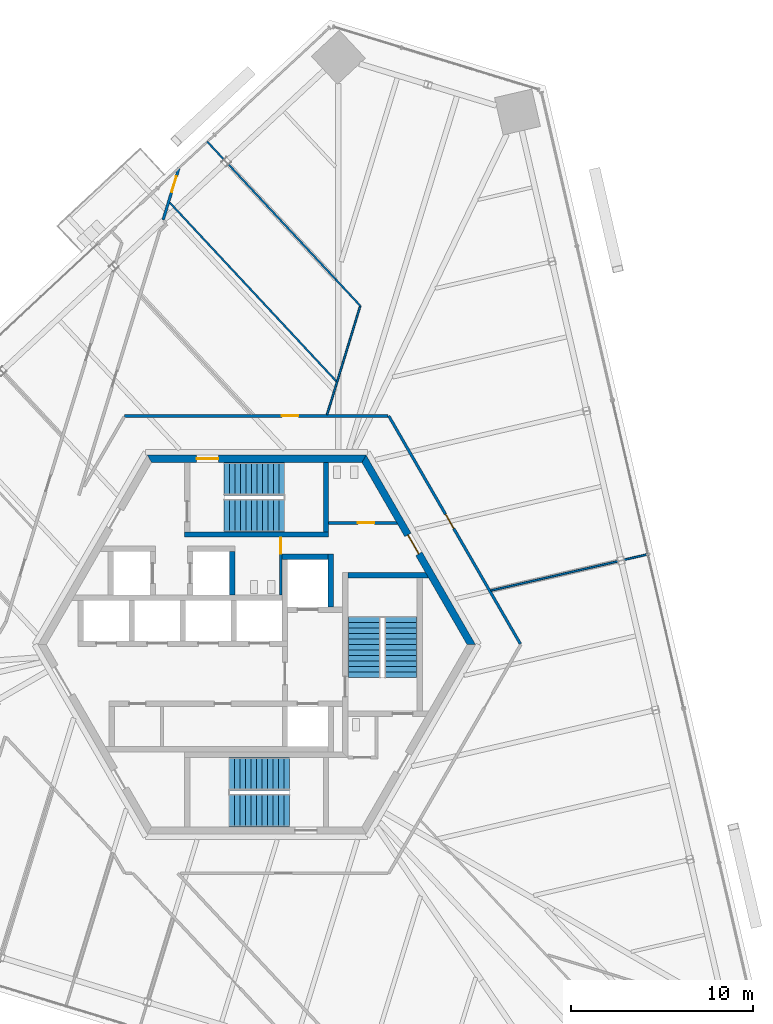
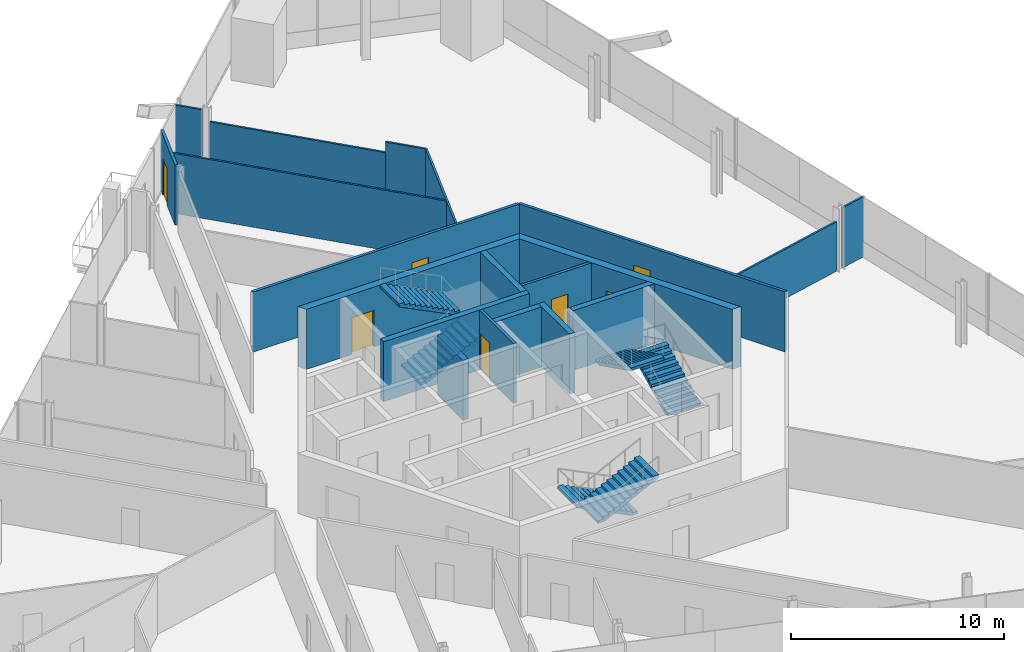
# One storey, part 14 of 18: 20 walls, 7 doors, 6 stair flights, 7 openings, 3 elements without a shape of their own.
"""IFC4 building model written with IfcOpenShell, lengths in metres."""

from ifc_helpers import new_model, si_unit, direction, frame, frame_2d, origin, place, context, subcontext, project, spatial, polyline, rectangle, outline, extrude, source, transform, mapped, material, layer, layer_set, type_object, element, fill, aggregate, save


model = new_model("IFC4")

# Units and contexts
model_context = context("Model", 3, precision=1e-05, world=origin(), true_north=direction((0.0, 1.0)))
body_context = subcontext(model_context, "Body", "Model", "MODEL_VIEW")
ifc_project = project(units=[si_unit("LENGTHUNIT", "METRE"), si_unit("AREAUNIT", "SQUARE_METRE"), si_unit("VOLUMEUNIT", "CUBIC_METRE"), si_unit("PLANEANGLEUNIT", "RADIAN"), si_unit("MASSUNIT", "GRAM", prefix="KILO")], contexts=[model_context])

# Site, building, storey
site_placement = place(None, origin())
site = spatial("IfcSite", under=ifc_project, at=site_placement, CompositionType="ELEMENT")
building_placement = place(site_placement, origin())
building = spatial("IfcBuilding", under=site, at=building_placement, Name="Triune Harvest Tower", CompositionType="ELEMENT")
storey_placement = place(building_placement, frame((0.0, 0.0, 101.89990234375)))
storey = spatial("IfcBuildingStorey", under=building, at=storey_placement, Name="L25", CompositionType="ELEMENT", Elevation=101.89990234375)

# Wall, opening, door
ifc_material_1 = material(Name="Gypsum board on steel studs", Category="steel")
ifc_layer_1 = layer(ifc_material_1, 0.14990234375)
ifc_layer_set_1 = layer_set([ifc_layer_1], Name="Gypsum board on steel studs")
wall_type_1 = type_object("IfcWallType", Name="Fire Partition 150 mm", PredefinedType="PARTITIONING", material=ifc_layer_set_1)
wall_1_placement = place(storey_placement, frame((-5.134521484375, 23.296875, 0.0), z_axis=(0.0, 0.0, 1.0), x_axis=(0.292316746562, 0.956321556632, 0.0)))
wall_1 = element("IfcWall", 1, at=wall_1_placement, inside=storey, type_object=wall_type_1, Name="Partition L25 047", PredefinedType="PARTITIONING", context=body_context, shape_type="SweptSolid", body=[
    extrude(rectangle(XDim=2.96826171875, YDim=0.14990234375, at=frame_2d((1.484130859375, 0.0))), origin(), (0.0, 0.0, 1.0), 3.440185546875),
])
opening_1_placement = place(wall_1_placement, frame((1.599853515625, 0.0, 0.0)))
opening_1 = element("IfcOpeningElement", 2, at=opening_1_placement, cuts=wall_1, Name="Opening L25-004", PredefinedType="OPENING", context=body_context, shape_type="SweptSolid", body=[
    extrude(rectangle(XDim=0.89990234375, YDim=2.10009765625, at=frame_2d((0.449951171875, 1.050048828125))), frame((0.0, 0.0849609375, 0.0), z_axis=(0.0, -1.0, 0.0), x_axis=(1.0, 0.0, 0.0)), (0.0, 0.0, 1.0), 0.169921875),
])
ifc_material_2 = material(Name="Timber and steel door set", Category="steel")
door_type_1 = type_object("IfcDoorType", Name="Single leaf door FD30 left hand 900 x 2100", OperationType="SINGLE_SWING_LEFT", PredefinedType="DOOR", material=ifc_material_2)
door_1_placement = place(opening_1_placement, origin())
door_1 = element("IfcDoor", 3, at=door_1_placement, inside=storey, type_object=door_type_1, Name="Door L25-004 Pantry 25.04", OperationType="SINGLE_SWING_LEFT", OverallHeight=2.10009765625, OverallWidth=0.89990234375, PredefinedType="DOOR", context=body_context, shape_type="SweptSolid", body=[
    extrude(rectangle(XDim=0.89990234375, YDim=2.10009765625, at=frame_2d((0.449951171875, 1.050048828125))), frame((0.0, 0.02490234375, 0.0), z_axis=(0.0, -1.0, 0.0), x_axis=(1.0, 0.0, 0.0)), (0.0, 0.0, 1.0), 0.050048828125),
])
fill(opening_1, door_1)

# Walls
ifc_material_3 = material(Name="Gypsum board on steel studs", Category="steel")
ifc_layer_2 = layer(ifc_material_3, 0.10009765625)
ifc_layer_set_2 = layer_set([ifc_layer_2], Name="Gypsum board on steel studs")
wall_type_2 = type_object("IfcWallType", Name="Partition 100 mm", PredefinedType="PARTITIONING", material=ifc_layer_set_2)
wall_2_placement = place(storey_placement, frame((-4.82763671875, 24.30078125, 0.0), z_axis=(0.0, 0.0, 1.0), x_axis=(0.68200005652, -0.731352119643, 0.0)))
element("IfcWall", 4, at=wall_2_placement, inside=storey, type_object=wall_type_2, Name="Partition L25 020", PredefinedType="PARTITIONING", context=body_context, shape_type="SweptSolid", body=[
    extrude(rectangle(XDim=13.53466796875, YDim=0.10009765625, at=frame_2d((6.767333984375, 0.0))), origin(), (0.0, 0.0, 1.0), 3.440185546875),
])
wall_3_placement = place(storey_placement, frame((3.85498046875, 12.609130859375, 0.0), z_axis=(0.0, 0.0, 1.0), x_axis=(0.292357980238, 0.956308951852, 0.0)))
element("IfcWall", 5, at=wall_3_placement, inside=storey, type_object=wall_type_2, Name="Partition L25 041", PredefinedType="PARTITIONING", context=body_context, shape_type="SweptSolid", body=[
    extrude(rectangle(XDim=6.22705078125, YDim=0.10009765625, at=frame_2d((3.113525390625, 0.0))), origin(), (0.0, 0.0, 1.0), 3.440185546875),
])

# Wall, opening, door
ifc_material_4 = material(Name="Concrete 70 MPa", Category="concrete")
ifc_layer_3 = layer(ifc_material_4, 0.39990234375)
ifc_layer_set_3 = layer_set([ifc_layer_3], Name="Concrete 70 MPa")
wall_type_3 = type_object("IfcWallType", Name="Core wall 400", PredefinedType="SHEAR", material=ifc_layer_set_3)
shared_shape_1 = source(origin(), body_context, "Body", "SweptSolid", [
    extrude(outline(polyline([(-0.115478515625, -0.199951171875), (11.884521484375, -0.199951171875), (11.653564453125, 0.199951171875), (0.115478515625, 0.199951171875), (-0.115478515625, -0.199951171875)])), origin(), (0.0, 0.0, 1.0), 3.440185546875),
])
wall_4_placement = place(storey_placement, frame((11.76904296875, 0.0, 0.0), z_axis=(0.0, 0.0, 1.0), x_axis=(-0.499996592174, 0.866027371285, 0.0)))
wall_4 = element("IfcWall", 6, at=wall_4_placement, inside=storey, type_object=wall_type_3, Name="Hexagon 0 wall", PredefinedType="SHEAR", context=body_context, shape_type="MappedRepresentation", body=[
    mapped(shared_shape_1, transform((0.0, 0.0, 0.0), scale=1.0)),
])
opening_2_placement = place(wall_4_placement, frame((5.75048828125, 0.0, 0.0)))
opening_2 = element("IfcOpeningElement", 7, at=opening_2_placement, cuts=wall_4, Name="Opening CD-WCP", PredefinedType="OPENING", context=body_context, shape_type="SweptSolid", body=[
    extrude(rectangle(XDim=1.199951171875, YDim=2.10009765625, at=frame_2d((0.60009765625, 1.050048828125))), frame((0.0, 0.2099609375, 0.0), z_axis=(0.0, -1.0, 0.0), x_axis=(1.0, 0.0, 0.0)), (0.0, 0.0, 1.0), 0.419921875),
])
ifc_material_5 = material(Name="Steel S235", Category="steel")
door_type_2 = type_object("IfcDoorType", Name="Lobby door 1200 FD120", OperationType="SINGLE_SWING_LEFT", PredefinedType="DOOR", material=ifc_material_5)
door_2_placement = place(opening_2_placement, frame((1.199951171875, 0.0, 0.0), z_axis=(0.0, 0.0, 1.0), x_axis=(-1.0, 0.0, 0.0)))
door_2 = element("IfcDoor", 8, at=door_2_placement, inside=storey, type_object=door_type_2, Name="Door CD-WCP", OperationType="SINGLE_SWING_RIGHT", OverallHeight=2.10009765625, OverallWidth=1.199951171875, PredefinedType="DOOR", context=body_context, shape_type="SweptSolid", body=[
    extrude(rectangle(XDim=1.199951171875, YDim=2.10009765625, at=frame_2d((0.60009765625, 1.050048828125))), frame((0.0, 0.02490234375, 0.0), z_axis=(0.0, -1.0, 0.0), x_axis=(1.0, 0.0, 0.0)), (0.0, 0.0, 1.0), 0.050048828125),
])
fill(opening_2, door_2)

wall_5_placement = place(storey_placement, frame((5.884521484375, 10.1923828125, 0.0), z_axis=(0.0, 0.0, 1.0), x_axis=(-1.0, 0.0, 0.0)))
wall_5 = element("IfcWall", 9, at=wall_5_placement, inside=storey, type_object=wall_type_3, Name="Hexagon 1 wall", PredefinedType="SHEAR", context=body_context, shape_type="MappedRepresentation", body=[
    mapped(shared_shape_1, transform((0.0, 0.0, 0.0), scale=1.0)),
])
opening_3_placement = place(wall_5_placement, frame((7.984619140625, 0.0, 0.0)))
opening_3 = element("IfcOpeningElement", 10, at=opening_3_placement, cuts=wall_5, Name="Opening CD-S1P", PredefinedType="OPENING", context=body_context, shape_type="SweptSolid", body=[
    extrude(rectangle(XDim=1.199951171875, YDim=2.10009765625, at=frame_2d((0.60009765625, 1.050048828125))), frame((0.0, 0.2099609375, 0.0), z_axis=(0.0, -1.0, 0.0), x_axis=(1.0, 0.0, 0.0)), (0.0, 0.0, 1.0), 0.419921875),
])
ifc_material_6 = material(Name="Steel S235", Category="steel")
door_type_3 = type_object("IfcDoorType", Name="Stair door 1200 FD120", OperationType="SINGLE_SWING_LEFT", PredefinedType="DOOR", material=ifc_material_6)
door_3_placement = place(opening_3_placement, frame((1.199951171875, 0.0, 0.0), z_axis=(0.0, 0.0, 1.0), x_axis=(-1.0, 0.0, 0.0)))
door_3 = element("IfcDoor", 11, at=door_3_placement, inside=storey, type_object=door_type_3, Name="Door CD-S1P", OperationType="SINGLE_SWING_RIGHT", OverallHeight=2.10009765625, OverallWidth=1.199951171875, PredefinedType="DOOR", context=body_context, shape_type="SweptSolid", body=[
    extrude(rectangle(XDim=1.199951171875, YDim=2.10009765625, at=frame_2d((0.60009765625, 1.050048828125))), frame((0.0, 0.02490234375, 0.0), z_axis=(0.0, -1.0, 0.0), x_axis=(1.0, 0.0, 0.0)), (0.0, 0.0, 1.0), 0.050048828125),
])
fill(opening_3, door_3)

# Walls
ifc_material_7 = material(Name="Concrete 70 MPa", Category="concrete")
ifc_layer_4 = layer(ifc_material_7, 0.300048828125)
ifc_layer_set_4 = layer_set([ifc_layer_4], Name="Concrete 70 MPa")
wall_type_4 = type_object("IfcWallType", Name="Core wall 300", PredefinedType="SHEAR", material=ifc_layer_set_4)
shared_shape_2 = source(origin(), body_context, "Body", "SweptSolid", [
    extrude(rectangle(XDim=2.5, YDim=0.300048828125, at=frame_2d((1.25, 0.0))), origin(), (0.0, 0.0, 1.0), 3.440185546875),
])
wall_6_placement = place(storey_placement, frame((1.39990234375, 4.81005859375, 0.0), z_axis=(0.0, 0.0, 1.0), x_axis=(1.0, 0.0, 0.0)))
element("IfcWall", 12, at=wall_6_placement, inside=storey, type_object=wall_type_4, Name="Ff1 back wall", PredefinedType="SHEAR", context=body_context, shape_type="MappedRepresentation", body=[
    mapped(shared_shape_2, transform((0.0, 0.0, 0.0), scale=1.0)),
])
shared_shape_3 = source(origin(), body_context, "Body", "SweptSolid", [
    extrude(rectangle(XDim=2.89990234375, YDim=0.300048828125, at=frame_2d((1.449951171875, 0.0))), origin(), (0.0, 0.0, 1.0), 3.440185546875),
])
wall_7_placement = place(storey_placement, frame((4.050048828125, 2.06005859375, 0.0), z_axis=(0.0, 0.0, 1.0), x_axis=(0.0, 1.0, 0.0)))
element("IfcWall", 13, at=wall_7_placement, inside=storey, type_object=wall_type_4, Name="Ff1 east wall", PredefinedType="SHEAR", context=body_context, shape_type="MappedRepresentation", body=[
    mapped(shared_shape_3, transform((0.0, 0.0, 0.0), scale=1.0)),
])
shared_shape_4 = source(origin(), body_context, "Body", "SweptSolid", [
    extrude(outline(polyline([(0.0, -0.14990234375), (0.0, 0.14990234375), (4.260009765625, 0.14990234375), (4.43310546875, -0.14990234375), (0.0, -0.14990234375)])), origin(), (0.0, 0.0, 1.0), 3.440185546875),
])
wall_8_placement = place(storey_placement, frame((5.0, 3.800048828125, 0.0), z_axis=(0.0, 0.0, 1.0), x_axis=(1.0, 0.0, 0.0)))
element("IfcWall", 14, at=wall_8_placement, inside=storey, type_object=wall_type_4, Name="Stair e north wall", PredefinedType="SHEAR", context=body_context, shape_type="MappedRepresentation", body=[
    mapped(shared_shape_4, transform((0.0, 0.0, 0.0), scale=1.0)),
])
shared_shape_5 = source(origin(), body_context, "Body", "SweptSolid", [
    extrude(rectangle(XDim=7.89990234375, YDim=0.300048828125, at=frame_2d((3.949951171875, 0.0))), origin(), (0.0, 0.0, 1.0), 3.440185546875),
])
wall_9_placement = place(storey_placement, frame((-3.949951171875, 6.0400390625, 0.0), z_axis=(0.0, 0.0, 1.0), x_axis=(1.0, 0.0, 0.0)))
element("IfcWall", 15, at=wall_9_placement, inside=storey, type_object=wall_type_4, Name="Stair n south wall", PredefinedType="SHEAR", context=body_context, shape_type="MappedRepresentation", body=[
    mapped(shared_shape_5, transform((0.0, 0.0, 0.0), scale=1.0)),
])
shared_shape_6 = source(origin(), body_context, "Body", "SweptSolid", [
    extrude(outline(polyline([(0.0, -0.14990234375), (0.0, 0.14990234375), (3.80419921875, 0.14990234375), (3.80419921875, -0.14990234375), (0.0, -0.14990234375)])), origin(), (0.0, 0.0, 1.0), 3.440185546875),
])
wall_10_placement = place(storey_placement, frame((3.800048828125, 6.18994140625, 0.0), z_axis=(0.0, 0.0, 1.0), x_axis=(0.0, 1.0, 0.0)))
element("IfcWall", 16, at=wall_10_placement, inside=storey, type_object=wall_type_4, Name="Stair n east wall", PredefinedType="SHEAR", context=body_context, shape_type="MappedRepresentation", body=[
    mapped(shared_shape_6, transform((0.0, 0.0, 0.0), scale=1.0)),
])
shared_shape_7 = source(origin(), body_context, "Body", "SweptSolid", [
    extrude(rectangle(XDim=2.400146484375, YDim=0.300048828125, at=frame_2d((1.2001953125, 0.0))), origin(), (0.0, 0.0, 1.0), 3.440185546875),
])
wall_11_placement = place(storey_placement, frame((-1.35009765625, 2.7099609375, 0.0), z_axis=(0.0, 0.0, 1.0), x_axis=(0.0, 1.0, 0.0)))
element("IfcWall", 17, at=wall_11_placement, inside=storey, type_object=wall_type_4, Name="Sv2 east wall", PredefinedType="SHEAR", context=body_context, shape_type="MappedRepresentation", body=[
    mapped(shared_shape_7, transform((0.0, 0.0, 0.0), scale=1.0)),
])

# Wall, opening, door
ifc_material_8 = material(Name="Concrete masonry unit", Category="masonry")
ifc_layer_5 = layer(ifc_material_8, 0.14990234375)
ifc_layer_set_5 = layer_set([ifc_layer_5], Name="Concrete masonry unit")
wall_type_5 = type_object("IfcWallType", Name="Block partition 150 unrated", PredefinedType="PARTITIONING", material=ifc_layer_set_5)
shared_shape_8 = source(origin(), body_context, "Body", "SweptSolid", [
    extrude(rectangle(XDim=3.179931640625, YDim=0.14990234375, at=frame_2d((1.58984375, 0.0))), origin(), (0.0, 0.0, 1.0), 3.440185546875),
])
wall_12_placement = place(storey_placement, frame((1.324951171875, 2.7099609375, 0.0), z_axis=(0.0, 0.0, 1.0), x_axis=(0.0, 1.0, 0.0)))
wall_12 = element("IfcWall", 18, at=wall_12_placement, inside=storey, type_object=wall_type_5, Name="Wc men east wall", PredefinedType="PARTITIONING", context=body_context, shape_type="MappedRepresentation", body=[
    mapped(shared_shape_8, transform((0.0, 0.0, 0.0), scale=1.0)),
])
opening_4_placement = place(wall_12_placement, frame((2.264892578125, 0.0, 0.0)))
opening_4 = element("IfcOpeningElement", 19, at=opening_4_placement, cuts=wall_12, Name="Opening CD-WM", PredefinedType="OPENING", context=body_context, shape_type="SweptSolid", body=[
    extrude(rectangle(XDim=0.89990234375, YDim=2.10009765625, at=frame_2d((0.449951171875, 1.050048828125))), frame((0.0, 0.0849609375, 0.0), z_axis=(0.0, -1.0, 0.0), x_axis=(1.0, 0.0, 0.0)), (0.0, 0.0, 1.0), 0.169921875),
])
ifc_material_9 = material(Name="Timber C24", Category="wood")
door_type_4 = type_object("IfcDoorType", Name="WC door 900", OperationType="SINGLE_SWING_LEFT", PredefinedType="DOOR", material=ifc_material_9)
door_4_placement = place(opening_4_placement, origin())
door_4 = element("IfcDoor", 20, at=door_4_placement, inside=storey, type_object=door_type_4, Name="Door CD-WM", OperationType="SINGLE_SWING_LEFT", OverallHeight=2.10009765625, OverallWidth=0.89990234375, PredefinedType="DOOR", context=body_context, shape_type="SweptSolid", body=[
    extrude(rectangle(XDim=0.89990234375, YDim=2.10009765625, at=frame_2d((0.449951171875, 1.050048828125))), frame((0.0, 0.02490234375, 0.0), z_axis=(0.0, -1.0, 0.0), x_axis=(1.0, 0.0, 0.0)), (0.0, 0.0, 1.0), 0.050048828125),
])
fill(opening_4, door_4)

shared_shape_9 = source(origin(), body_context, "Body", "SweptSolid", [
    extrude(outline(polyline([(0.0, -0.074951171875), (0.0, 0.074951171875), (3.693359375, 0.074951171875), (3.77978515625, -0.074951171875), (0.0, -0.074951171875)])), origin(), (0.0, 0.0, 1.0), 3.440185546875),
])
wall_13_placement = place(storey_placement, frame((3.949951171875, 6.675048828125, 0.0), z_axis=(0.0, 0.0, 1.0), x_axis=(1.0, 0.0, 0.0)))
wall_13 = element("IfcWall", 21, at=wall_13_placement, inside=storey, type_object=wall_type_5, Name="Wc women south wall", PredefinedType="PARTITIONING", context=body_context, shape_type="MappedRepresentation", body=[
    mapped(shared_shape_9, transform((0.0, 0.0, 0.0), scale=1.0)),
])
opening_5_placement = place(wall_13_placement, frame((1.60009765625, 0.0, 0.0)))
opening_5 = element("IfcOpeningElement", 22, at=opening_5_placement, cuts=wall_13, Name="Opening CD-WW", PredefinedType="OPENING", context=body_context, shape_type="SweptSolid", body=[
    extrude(rectangle(XDim=0.89990234375, YDim=2.10009765625, at=frame_2d((0.449951171875, 1.050048828125))), frame((0.0, 0.0849609375, 0.0), z_axis=(0.0, -1.0, 0.0), x_axis=(1.0, 0.0, 0.0)), (0.0, 0.0, 1.0), 0.169921875),
])
door_5_placement = place(opening_5_placement, origin())
door_5 = element("IfcDoor", 23, at=door_5_placement, inside=storey, type_object=door_type_4, Name="Door CD-WW", OperationType="SINGLE_SWING_LEFT", OverallHeight=2.10009765625, OverallWidth=0.89990234375, PredefinedType="DOOR", context=body_context, shape_type="SweptSolid", body=[
    extrude(rectangle(XDim=0.89990234375, YDim=2.10009765625, at=frame_2d((0.449951171875, 1.050048828125))), frame((0.0, 0.02490234375, 0.0), z_axis=(0.0, -1.0, 0.0), x_axis=(1.0, 0.0, 0.0)), (0.0, 0.0, 1.0), 0.050048828125),
])
fill(opening_5, door_5)

shared_shape_10 = source(origin(), body_context, "Body", "SweptSolid", [
    extrude(rectangle(XDim=14.4326171875, YDim=0.14990234375, at=frame_2d((7.21630859375, 0.0))), origin(), (0.0, 0.0, 1.0), 3.440185546875),
])
wall_14_placement = place(storey_placement, frame((7.2412109375, 12.542236328125, 0.0), z_axis=(0.0, 0.0, 1.0), x_axis=(0.499999690675, -0.866025582373, 0.0)))
wall_14 = element("IfcWall", 24, at=wall_14_placement, inside=storey, type_object=wall_type_1, Name="Partition L25 003", PredefinedType="PARTITIONING", context=body_context, shape_type="MappedRepresentation", body=[
    mapped(shared_shape_10, transform((0.0, 0.0, 0.0), scale=1.0)),
])
opening_6_placement = place(wall_14_placement, frame((6.225830078125, 0.0, 0.0)))
opening_6 = element("IfcOpeningElement", 25, at=opening_6_placement, cuts=wall_14, Name="Opening L25-002", PredefinedType="OPENING", context=body_context, shape_type="SweptSolid", body=[
    extrude(rectangle(XDim=0.89990234375, YDim=2.10009765625, at=frame_2d((0.449951171875, 1.050048828125))), frame((0.0, 0.0849609375, 0.0), z_axis=(0.0, -1.0, 0.0), x_axis=(1.0, 0.0, 0.0)), (0.0, 0.0, 1.0), 0.169921875),
])
door_6_placement = place(opening_6_placement, origin())
door_6 = element("IfcDoor", 26, at=door_6_placement, inside=storey, type_object=door_type_1, Name="Door L25-002 Open Office 25.02", OperationType="SINGLE_SWING_LEFT", OverallHeight=2.10009765625, OverallWidth=0.89990234375, PredefinedType="DOOR", context=body_context, shape_type="SweptSolid", body=[
    extrude(rectangle(XDim=0.89990234375, YDim=2.10009765625, at=frame_2d((0.449951171875, 1.050048828125))), frame((0.0, 0.02490234375, 0.0), z_axis=(0.0, -1.0, 0.0), x_axis=(1.0, 0.0, 0.0)), (0.0, 0.0, 1.0), 0.050048828125),
])
fill(opening_6, door_6)

wall_15_placement = place(storey_placement, frame((-7.2412109375, 12.542236328125, 0.0), z_axis=(0.0, 0.0, 1.0), x_axis=(1.0, 0.0, 0.0)))
wall_15 = element("IfcWall", 27, at=wall_15_placement, inside=storey, type_object=wall_type_1, Name="Partition L25 029", PredefinedType="PARTITIONING", context=body_context, shape_type="MappedRepresentation", body=[
    mapped(shared_shape_10, transform((0.0, 0.0, 0.0), scale=1.0)),
])
opening_7_placement = place(wall_15_placement, frame((8.6259765625, 0.0, 0.0)))
opening_7 = element("IfcOpeningElement", 28, at=opening_7_placement, cuts=wall_15, Name="Opening L25-003", PredefinedType="OPENING", context=body_context, shape_type="SweptSolid", body=[
    extrude(rectangle(XDim=0.89990234375, YDim=2.10009765625, at=frame_2d((0.449951171875, 1.050048828125))), frame((0.0, 0.0849609375, 0.0), z_axis=(0.0, -1.0, 0.0), x_axis=(1.0, 0.0, 0.0)), (0.0, 0.0, 1.0), 0.169921875),
])
ifc_material_10 = material(Name="Timber and steel door set", Category="steel")
door_type_5 = type_object("IfcDoorType", Name="Single leaf door FD30 right hand 900 x 2100", OperationType="SINGLE_SWING_RIGHT", PredefinedType="DOOR", material=ifc_material_10)
door_7_placement = place(opening_7_placement, origin())
door_7 = element("IfcDoor", 29, at=door_7_placement, inside=storey, type_object=door_type_5, Name="Door L25-003 Project Room 25.03", OperationType="SINGLE_SWING_RIGHT", OverallHeight=2.10009765625, OverallWidth=0.89990234375, PredefinedType="DOOR", context=body_context, shape_type="SweptSolid", body=[
    extrude(rectangle(XDim=0.89990234375, YDim=2.10009765625, at=frame_2d((0.449951171875, 1.050048828125))), frame((0.0, 0.02490234375, 0.0), z_axis=(0.0, -1.0, 0.0), x_axis=(1.0, 0.0, 0.0)), (0.0, 0.0, 1.0), 0.050048828125),
])
fill(opening_7, door_7)

# Walls
shared_shape_11 = source(origin(), body_context, "Body", "SweptSolid", [
    extrude(rectangle(XDim=1.338134765625, YDim=0.10009765625, at=frame_2d((0.6689453125, 0.0))), origin(), (0.0, 0.0, 1.0), 3.440185546875),
])
for number, where, z_axis, x_axis, name in (
    (30, (-2.71240234375, 27.584716796875, 0.0), (0.0, 0.0, 1.0), (0.68204515899, -0.731310058114, 0.0), "Partition L25 021"),
    (31, (20.156005859375, 4.6533203125, 0.0), (0.0, 0.0, 1.0), (0.974363511026, 0.224979439906, 0.0), "Partition L25 033"),
):
    element("IfcWall", number, at=place(storey_placement, frame(where, z_axis=z_axis, x_axis=x_axis)), inside=storey, type_object=wall_type_2, Name=name, PredefinedType="PARTITIONING", context=body_context, shape_type="MappedRepresentation", body=[
        mapped(shared_shape_11, transform((0.0, 0.0, 0.0), scale=1.0)),
    ])
shared_shape_12 = source(origin(), body_context, "Body", "SweptSolid", [
    extrude(rectangle(XDim=8.61767578125, YDim=0.10009765625, at=frame_2d((4.308837890625, 0.0))), origin(), (0.0, 0.0, 1.0), 2.827880859375),
])
wall_16_placement = place(storey_placement, frame((-1.5537109375, 26.342041015625, 0.0), z_axis=(0.0, 0.0, 1.0), x_axis=(0.682000224703, -0.731351962809, 0.0)))
element("IfcWall", 32, at=wall_16_placement, inside=storey, type_object=wall_type_2, Name="Partition L25 022", PredefinedType="PARTITIONING", context=body_context, shape_type="MappedRepresentation", body=[
    mapped(shared_shape_12, transform((0.0, 0.0, 0.0), scale=1.0)),
])
shared_shape_13 = source(origin(), body_context, "Body", "SweptSolid", [
    extrude(rectangle(XDim=1.9912109375, YDim=0.10009765625, at=frame_2d((0.99560546875, 0.0))), origin(), (0.0, 0.0, 1.0), 3.440185546875),
])
wall_17_placement = place(storey_placement, frame((4.323486328125, 20.03955078125, 0.0), z_axis=(0.0, 0.0, 1.0), x_axis=(0.681968684126, -0.731381373752, 0.0)))
element("IfcWall", 33, at=wall_17_placement, inside=storey, type_object=wall_type_2, Name="Partition L25 022a", PredefinedType="PARTITIONING", context=body_context, shape_type="MappedRepresentation", body=[
    mapped(shared_shape_13, transform((0.0, 0.0, 0.0), scale=1.0)),
])
shared_shape_14 = source(origin(), body_context, "Body", "SweptSolid", [
    extrude(rectangle(XDim=7.139892578125, YDim=0.10009765625, at=frame_2d((3.56982421875, 0.0))), origin(), (0.0, 0.0, 1.0), 2.827880859375),
])
wall_18_placement = place(storey_placement, frame((12.847412109375, 2.9658203125, 0.0), z_axis=(0.0, 0.0, 1.0), x_axis=(0.974366985085, 0.224964393573, 0.0)))
element("IfcWall", 34, at=wall_18_placement, inside=storey, type_object=wall_type_2, Name="Partition L25 032", PredefinedType="PARTITIONING", context=body_context, shape_type="MappedRepresentation", body=[
    mapped(shared_shape_14, transform((0.0, 0.0, 0.0), scale=1.0)),
])

# Stair, stair flights
ifc_material_11 = material(Name="Concrete 40 MPa", Category="concrete")
stair_type = type_object("IfcStairType", Name="Exit stair 1800 half turn", PredefinedType="HALF_TURN_STAIR", material=ifc_material_11)
stair_1_placement = place(storey_placement, origin())
stair_1 = element("IfcStair", 35, at=stair_1_placement, inside=storey, type_object=stair_type, Name="Exit stair north", PredefinedType="HALF_TURN_STAIR")
ifc_material_12 = material(Name="Concrete 40 MPa", Category="concrete")
stair_flight_type = type_object("IfcStairFlightType", Name="Stair flight 1800", PredefinedType="STRAIGHT", material=ifc_material_12)
shared_shape_15 = source(origin(), body_context, "Body", "SweptSolid", [
    extrude(outline(polyline([(0.0, 0.0), (0.0, 0.14990234375), (0.300048828125, 0.14990234375), (0.300048828125, 0.300048828125), (0.60009765625, 0.300048828125), (0.60009765625, 0.449951171875), (0.89990234375, 0.449951171875), (0.89990234375, 0.60009765625), (1.199951171875, 0.60009765625), (1.199951171875, 0.75), (1.5, 0.75), (1.5, 0.89990234375), (1.800048828125, 0.89990234375), (1.800048828125, 1.050048828125), (2.10009765625, 1.050048828125), (2.10009765625, 1.199951171875), (2.39990234375, 1.199951171875), (2.39990234375, 1.35009765625), (2.699951171875, 1.35009765625), (2.699951171875, 1.5), (3.0, 1.5), (3.0, 1.64990234375), (3.300048828125, 1.64990234375), (3.300048828125, 1.800048828125), (3.300048828125, 1.482421875), (0.335205078125, 0.0), (0.0, 0.0)])), frame((0.0, 0.89990234375, 0.0), z_axis=(0.0, -1.0, 0.0), x_axis=(1.0, 0.0, 0.0)), (0.0, 0.0, 1.0), 1.800048828125),
])
stair_flight_1_placement = place(storey_placement, frame((-1.7900390625, 7.090087890625, 0.0), z_axis=(0.0, 0.0, 1.0), x_axis=(1.0, 0.0, 0.0)))
stair_flight_1 = element("IfcStairFlight", 36, at=stair_flight_1_placement, type_object=stair_flight_type, Name="ST-1 flight 1", NumberOfRisers=12, NumberOfTreads=11, PredefinedType="STRAIGHT", RiserHeight=0.15, TreadLength=0.3, context=body_context, shape_type="MappedRepresentation", body=[
    mapped(shared_shape_15, transform((0.0, 0.0, 0.0), scale=1.0)),
])
stair_flight_2_placement = place(storey_placement, frame((1.510009765625, 9.090087890625, 1.800048828125), z_axis=(0.0, 0.0, 1.0), x_axis=(-1.0, 0.0, 0.0)))
stair_flight_2 = element("IfcStairFlight", 37, at=stair_flight_2_placement, type_object=stair_flight_type, Name="ST-1 flight 2", NumberOfRisers=12, NumberOfTreads=11, PredefinedType="STRAIGHT", RiserHeight=0.15, TreadLength=0.3, context=body_context, shape_type="MappedRepresentation", body=[
    mapped(shared_shape_15, transform((0.0, 0.0, 0.0), scale=1.0)),
])
aggregate(stair_1, [stair_flight_1, stair_flight_2])

stair_2_placement = place(storey_placement, origin())
stair_2 = element("IfcStair", 38, at=stair_2_placement, inside=storey, type_object=stair_type, Name="Exit stair south", PredefinedType="HALF_TURN_STAIR")
stair_flight_3_placement = place(storey_placement, frame((1.7900390625, -7.090087890625, 0.0), z_axis=(0.0, 0.0, 1.0), x_axis=(-1.0, 0.0, 0.0)))
stair_flight_3 = element("IfcStairFlight", 39, at=stair_flight_3_placement, type_object=stair_flight_type, Name="ST-2 flight 1", NumberOfRisers=12, NumberOfTreads=11, PredefinedType="STRAIGHT", RiserHeight=0.15, TreadLength=0.3, context=body_context, shape_type="MappedRepresentation", body=[
    mapped(shared_shape_15, transform((0.0, 0.0, 0.0), scale=1.0)),
])
stair_flight_4_placement = place(storey_placement, frame((-1.510009765625, -9.090087890625, 1.800048828125), z_axis=(0.0, 0.0, 1.0), x_axis=(1.0, 0.0, 0.0)))
stair_flight_4 = element("IfcStairFlight", 40, at=stair_flight_4_placement, type_object=stair_flight_type, Name="ST-2 flight 2", NumberOfRisers=12, NumberOfTreads=11, PredefinedType="STRAIGHT", RiserHeight=0.15, TreadLength=0.3, context=body_context, shape_type="MappedRepresentation", body=[
    mapped(shared_shape_15, transform((0.0, 0.0, 0.0), scale=1.0)),
])
aggregate(stair_2, [stair_flight_3, stair_flight_4])

stair_3_placement = place(storey_placement, origin())
stair_3 = element("IfcStair", 41, at=stair_3_placement, inside=storey, type_object=stair_type, Name="Exit stair east", PredefinedType="HALF_TURN_STAIR")
stair_flight_5_placement = place(storey_placement, frame((7.89990234375, -1.7900390625, 0.0), z_axis=(0.0, 0.0, 1.0), x_axis=(0.0, 1.0, 0.0)))
stair_flight_5 = element("IfcStairFlight", 42, at=stair_flight_5_placement, type_object=stair_flight_type, Name="ST-3 flight 1", NumberOfRisers=12, NumberOfTreads=11, PredefinedType="STRAIGHT", RiserHeight=0.15, TreadLength=0.3, context=body_context, shape_type="MappedRepresentation", body=[
    mapped(shared_shape_15, transform((0.0, 0.0, 0.0), scale=1.0)),
])
stair_flight_6_placement = place(storey_placement, frame((5.89990234375, 1.510009765625, 1.800048828125), z_axis=(0.0, 0.0, 1.0), x_axis=(0.0, -1.0, 0.0)))
stair_flight_6 = element("IfcStairFlight", 43, at=stair_flight_6_placement, type_object=stair_flight_type, Name="ST-3 flight 2", NumberOfRisers=12, NumberOfTreads=11, PredefinedType="STRAIGHT", RiserHeight=0.15, TreadLength=0.3, context=body_context, shape_type="MappedRepresentation", body=[
    mapped(shared_shape_15, transform((0.0, 0.0, 0.0), scale=1.0)),
])
aggregate(stair_3, [stair_flight_5, stair_flight_6])

save(model, "model.ifc")
